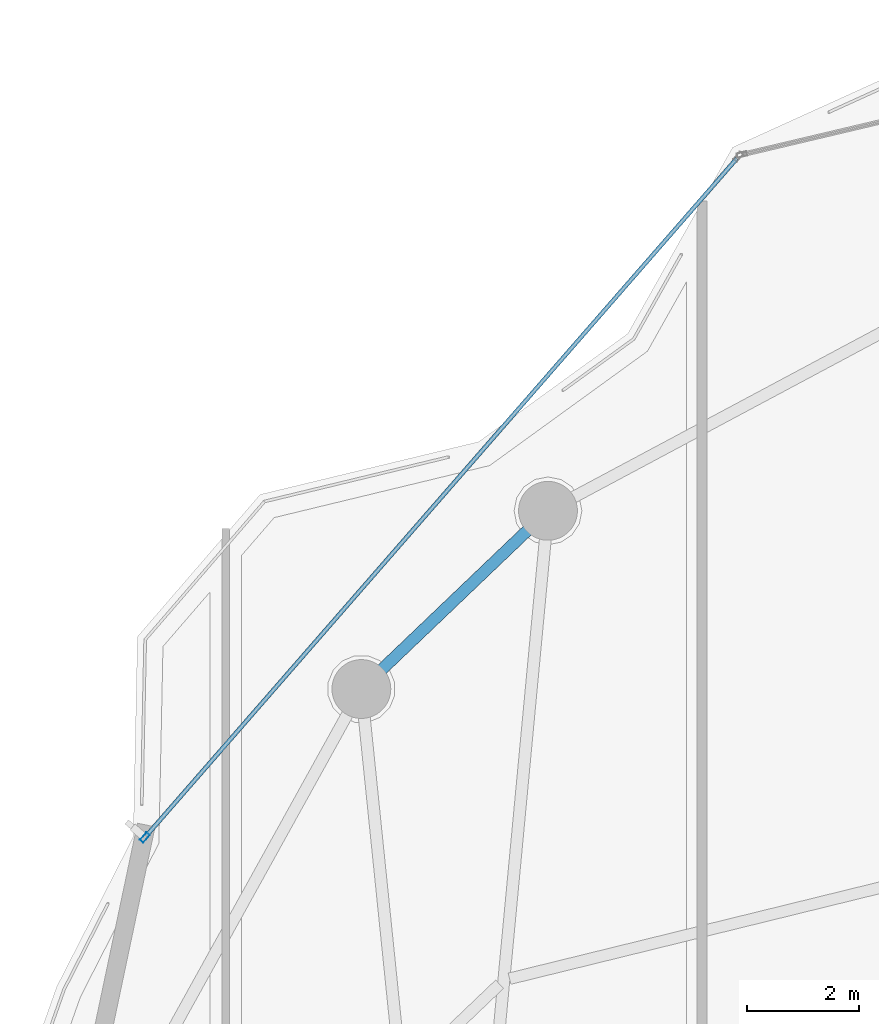
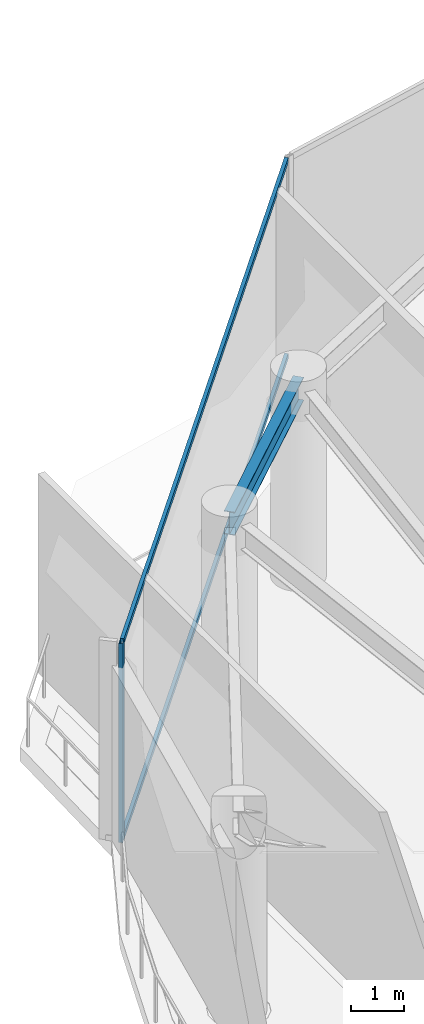
# One storey, part 16 of 28: 3 members, 1 beam, 1 element without a shape of its own.
"""IFC4 building model written with IfcOpenShell, lengths in metres."""

from ifc_helpers import new_model, si_unit, direction, frame, origin, origin_2d, place, context, subcontext, project, spatial, hollow_rectangle, i_section, extrude, material, layer, layer_set, material_profile, profile_set, type_object, element, aggregate, save


model = new_model("IFC4")

# Units and contexts
model_context = context("Model", 3, precision=1e-05, world=origin(), true_north=direction((0.0, 1.0)))
body_context = subcontext(model_context, "Body", "Model", "MODEL_VIEW")
ifc_project = project(units=[si_unit("LENGTHUNIT", "METRE"), si_unit("AREAUNIT", "SQUARE_METRE"), si_unit("VOLUMEUNIT", "CUBIC_METRE"), si_unit("PLANEANGLEUNIT", "RADIAN"), si_unit("MASSUNIT", "GRAM", prefix="KILO")], contexts=[model_context])

# Site, building, storey
site_placement = place(None, origin())
site = spatial("IfcSite", under=ifc_project, at=site_placement, CompositionType="ELEMENT")
building_placement = place(site_placement, origin())
building = spatial("IfcBuilding", under=site, at=building_placement, Name="Kazevale Care Tower and Concert Hall", CompositionType="ELEMENT")
storey_placement = place(building_placement, frame((0.0, 0.0, 190.800048828125)))
storey = spatial("IfcBuildingStorey", under=building, at=storey_placement, Name="L50", CompositionType="ELEMENT", Elevation=190.800048828125)

# Curtain wall, members
ifc_material_1 = material(Name="Aluminium 6063-T6 and Low-E Glass", Category="aluminium")
ifc_layer = layer(ifc_material_1, 0.179931640625)
ifc_layer_set = layer_set([ifc_layer], Name="Aluminium 6063-T6 and Low-E Glass")
curtain_wall_type = type_object("IfcCurtainWallType", Name="Convex Checkerboard Finned Curtain Wall CW-2", PredefinedType="NOTDEFINED", material=ifc_layer_set)
curtain_wall_placement = place(storey_placement, origin())
curtain_wall = element("IfcCurtainWall", 1, at=curtain_wall_placement, inside=storey, type_object=curtain_wall_type, Name="cw:L50:f14", PredefinedType="NOTDEFINED")
ifc_material_2 = material(Name="Aluminium 6063-T6", Category="aluminium")
ifc_material_profile_1 = material_profile(ifc_material_2, hollow_rectangle(XDim=0.080078125, YDim=0.179931640625, WallThickness=0.0048828125, at=origin_2d()), Name="ALU80x180x5")
ifc_profile_set_1 = profile_set([ifc_material_profile_1], Name="Aluminium 6063-T6")
member_type_1 = type_object("IfcMemberType", Name="CW-2 Mullion ALU80x180x5", PredefinedType="MULLION", material=ifc_profile_set_1)
member_1_placement = place(storey_placement, frame((16.55419921875, 49.17919921875, 0.0), z_axis=(0.0, 0.0, 1.0), x_axis=(-0.753738225685, 0.657174776708, 0.0)))
member_1 = element("IfcMember", 2, at=member_1_placement, type_object=member_type_1, Name="CW-2 mullion 1", PredefinedType="MULLION", context=body_context, shape_type="SweptSolid", body=[
    extrude(hollow_rectangle(XDim=0.080078125, YDim=0.179931640625, WallThickness=0.0048828125, at=origin_2d()), origin(), (0.0, 0.0, 1.0), 4.56005859375),
])
ifc_material_profile_2 = material_profile(ifc_material_2, hollow_rectangle(XDim=0.074951171875, YDim=0.1201171875, WallThickness=0.00390625, at=origin_2d()), Name="ALU75x120x4")
ifc_profile_set_2 = profile_set([ifc_material_profile_2], Name="Aluminium 6063-T6")
member_type_2 = type_object("IfcMemberType", Name="CW-2 Transom ALU75x120x4", PredefinedType="USERDEFINED", material=ifc_profile_set_2)
member_2_placement = place(storey_placement, frame((16.58056640625, 49.209228515625, 0.037353515625), z_axis=(0.657173569472, 0.753739278257, 0.0), x_axis=(-0.753739278257, 0.657173569472, 0.0)))
member_2 = element("IfcMember", 3, at=member_2_placement, type_object=member_type_2, Name="CW-2 transom 1.1", ObjectType="TRANSOM", PredefinedType="USERDEFINED", context=body_context, shape_type="SweptSolid", body=[
    extrude(hollow_rectangle(XDim=0.074951171875, YDim=0.1201171875, WallThickness=0.00390625, at=origin_2d()), origin(), (0.0, 0.0, 1.0), 16.03662109375),
])
member_3_placement = place(storey_placement, frame((16.58056640625, 49.209228515625, 4.5224609375), z_axis=(0.657173569472, 0.753739278257, 0.0), x_axis=(-0.753739278257, 0.657173569472, 0.0)))
member_3 = element("IfcMember", 4, at=member_3_placement, type_object=member_type_2, Name="CW-2 transom 1.2", ObjectType="TRANSOM", PredefinedType="USERDEFINED", context=body_context, shape_type="SweptSolid", body=[
    extrude(hollow_rectangle(XDim=0.074951171875, YDim=0.1201171875, WallThickness=0.00390625, at=origin_2d()), origin(), (0.0, 0.0, 1.0), 16.03662109375),
])
aggregate(curtain_wall, [member_1, member_2, member_3])

# Beam
ifc_material_3 = material(Name="Steel ASTM A572 Gr 50", Category="steel")
ifc_material_profile_3 = material_profile(ifc_material_3, i_section(OverallWidth=0.208984375, OverallDepth=0.532958984375, WebThickness=0.01025390625, FlangeThickness=0.015625, at=origin_2d()), Name="W530x92")
ifc_profile_set_3 = profile_set([ifc_material_profile_3], Name="Steel ASTM A572 Gr 50")
beam_type = type_object("IfcBeamType", Name="Upper Ring Beam W530x92", PredefinedType="BEAM", material=ifc_profile_set_3)
beam_placement = place(storey_placement, frame((23.75, 55.010009765625, 4.29345703125), z_axis=(-0.723223118589, -0.690614451585, 0.0), x_axis=(0.690614451585, -0.723223118589, 0.0)))
element("IfcBeam", 5, at=beam_placement, inside=storey, type_object=beam_type, Name="beam:L50:ring:07", PredefinedType="BEAM", context=body_context, shape_type="SweptSolid", body=[
    extrude(i_section(OverallWidth=0.208984375, OverallDepth=0.532958984375, WebThickness=0.01025390625, FlangeThickness=0.015625, at=origin_2d()), origin(), (0.0, 0.0, 1.0), 4.6044921875),
])

save(model, "model.ifc")
